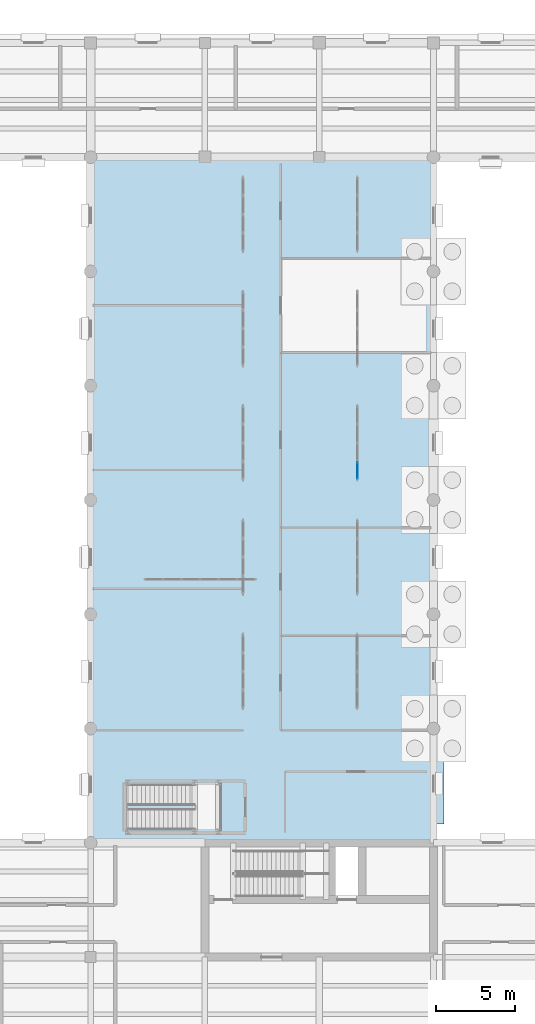
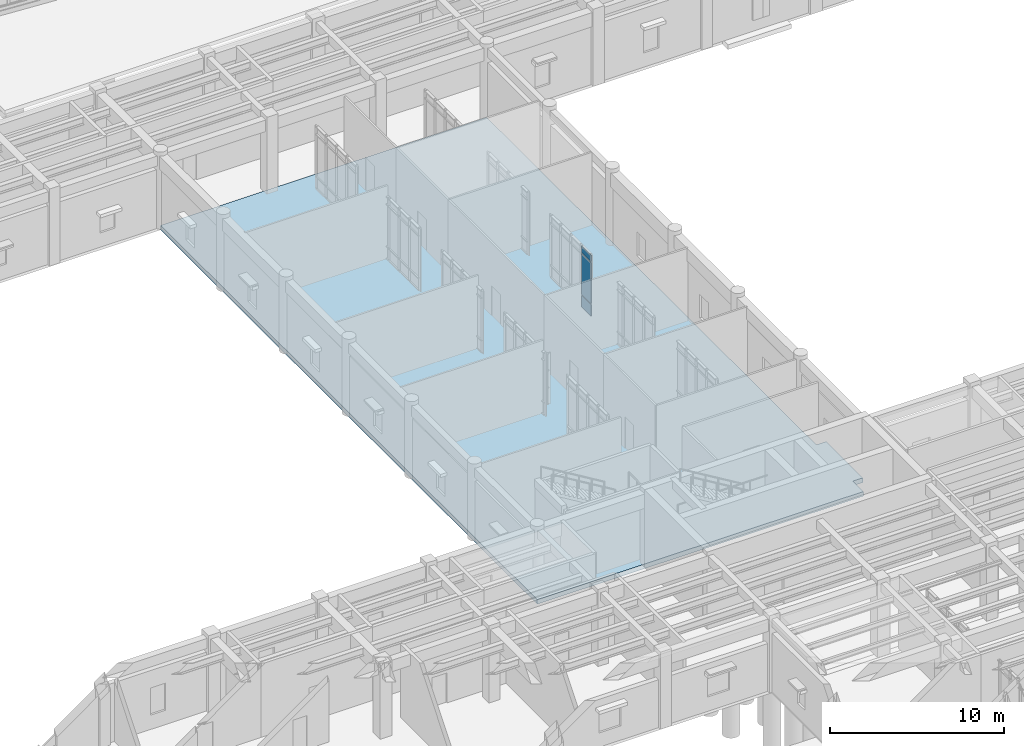
# One storey, part 55 of 100: 3 plates, 1 slab, 1 element without a shape of its own.
"""IFC4 building model written with IfcOpenShell, lengths in metres."""

from ifc_helpers import new_model, si_unit, direction, frame, origin, origin_2d, place, context, subcontext, project, spatial, polyline, rectangle, outline, extrude, material, layer, layer_set, type_object, element, aggregate, save


model = new_model("IFC4")

# Units and contexts
model_context = context("Model", 3, precision=1e-05, world=origin(), true_north=direction((0.0, 1.0)))
body_context = subcontext(model_context, "Body", "Model", "MODEL_VIEW")
ifc_project = project(units=[si_unit("LENGTHUNIT", "METRE"), si_unit("AREAUNIT", "SQUARE_METRE"), si_unit("VOLUMEUNIT", "CUBIC_METRE"), si_unit("PLANEANGLEUNIT", "RADIAN"), si_unit("MASSUNIT", "GRAM", prefix="KILO")], contexts=[model_context])

# Site, building, storey
site_placement = place(None, origin())
site = spatial("IfcSite", under=ifc_project, at=site_placement, CompositionType="ELEMENT")
building_placement = place(site_placement, origin())
building = spatial("IfcBuilding", under=site, at=building_placement, Name="Mithqara Police Headquarters", CompositionType="ELEMENT")
storey_placement = place(building_placement, origin())
storey = spatial("IfcBuildingStorey", under=building, at=storey_placement, Name="L00", CompositionType="ELEMENT", Elevation=0.0)

# Curtain wall, plates
ifc_material_1 = material(Name="Bronze anodised aluminium 6063-T6", Category="aluminium")
curtain_wall_type = type_object("IfcCurtainWallType", Name="CURTAIN WALL 4700X4400", PredefinedType="USERDEFINED", material=ifc_material_1)
curtain_wall_placement = place(storey_placement, origin())
curtain_wall = element("IfcCurtainWall", 1, at=curtain_wall_placement, inside=storey, type_object=curtain_wall_type, Name="L00 Unitised Glazing CW-14 (CW-INT-L00-X12-Y08-0)", ObjectType="UNITISED GLAZING", PredefinedType="USERDEFINED")
ifc_material_2 = material(Name="Spectrally selective double low-e glass", Category="glass")
ifc_layer_1 = layer(ifc_material_2, 0.028076171875, Name="Spectrally selective double low-e glass")
ifc_layer_set_1 = layer_set([ifc_layer_1], Name="Spectrally selective double low-e glass")
plate_type = type_object("IfcPlateType", Name="CWPANEL GLASS28", PredefinedType="CURTAIN_PANEL", material=ifc_layer_set_1)
plate_1_placement = place(storey_placement, frame((89.39990234375, 58.856201171875, 0.074951171875), z_axis=(0.0, 0.0, 1.0), x_axis=(0.0, 1.0, 0.0)))
plate_1 = element("IfcPlate", 2, at=plate_1_placement, type_object=plate_type, Name="CW-14 panel 1.1", PredefinedType="CURTAIN_PANEL", context=body_context, shape_type="SweptSolid", body=[
    extrude(rectangle(XDim=1.0625, YDim=0.028076171875, at=origin_2d()), origin(), (0.0, 0.0, 1.0), 0.78759765625),
])
plate_2_placement = place(storey_placement, frame((89.39990234375, 58.856201171875, 0.9375), z_axis=(0.0, 0.0, 1.0), x_axis=(0.0, 1.0, 0.0)))
plate_2 = element("IfcPlate", 3, at=plate_2_placement, type_object=plate_type, Name="CW-14 panel 1.2", PredefinedType="CURTAIN_PANEL", context=body_context, shape_type="SweptSolid", body=[
    extrude(rectangle(XDim=1.0625, YDim=0.028076171875, at=origin_2d()), origin(), (0.0, 0.0, 1.0), 2.875),
])
plate_3_placement = place(storey_placement, frame((89.39990234375, 58.856201171875, 3.887451171875), z_axis=(0.0, 0.0, 1.0), x_axis=(0.0, 1.0, 0.0)))
plate_3 = element("IfcPlate", 4, at=plate_3_placement, type_object=plate_type, Name="CW-14 panel 1.3", PredefinedType="CURTAIN_PANEL", context=body_context, shape_type="SweptSolid", body=[
    extrude(rectangle(XDim=1.0625, YDim=0.028076171875, at=origin_2d()), origin(), (0.0, 0.0, 1.0), 0.4375),
])
aggregate(curtain_wall, [plate_1, plate_2, plate_3])

# Slab
ifc_material_3 = material(Name="Concrete C40/50", Category="concrete")
ifc_layer_2 = layer(ifc_material_3, 0.320068359375, Name="Concrete C40/50")
ifc_layer_set_2 = layer_set([ifc_layer_2], Name="Concrete C40/50")
slab_type = type_object("IfcSlabType", Name="FLOOR SLAB 320", PredefinedType="FLOOR", material=ifc_layer_set_2)
slab_placement = place(storey_placement, frame((0.0, 0.0, -0.320068359375)))
element("IfcSlab", 5, at=slab_placement, inside=storey, type_object=slab_type, Name="L00 Structural Slab L00-V2", PredefinedType="FLOOR", context=body_context, shape_type="SweptSolid", body=[
    extrude(outline(polyline([(94.85009765625, 40.800048828125), (94.85009765625, 36.60009765625), (94.199951171875, 36.60009765625), (94.199951171875, 35.39990234375), (72.60009765625, 35.39990234375), (72.60009765625, 78.60009765625), (94.199951171875, 78.60009765625), (94.199951171875, 40.800048828125), (94.85009765625, 40.800048828125)])), origin(), (0.0, 0.0, 1.0), 0.320068359375),
])

save(model, "model.ifc")
